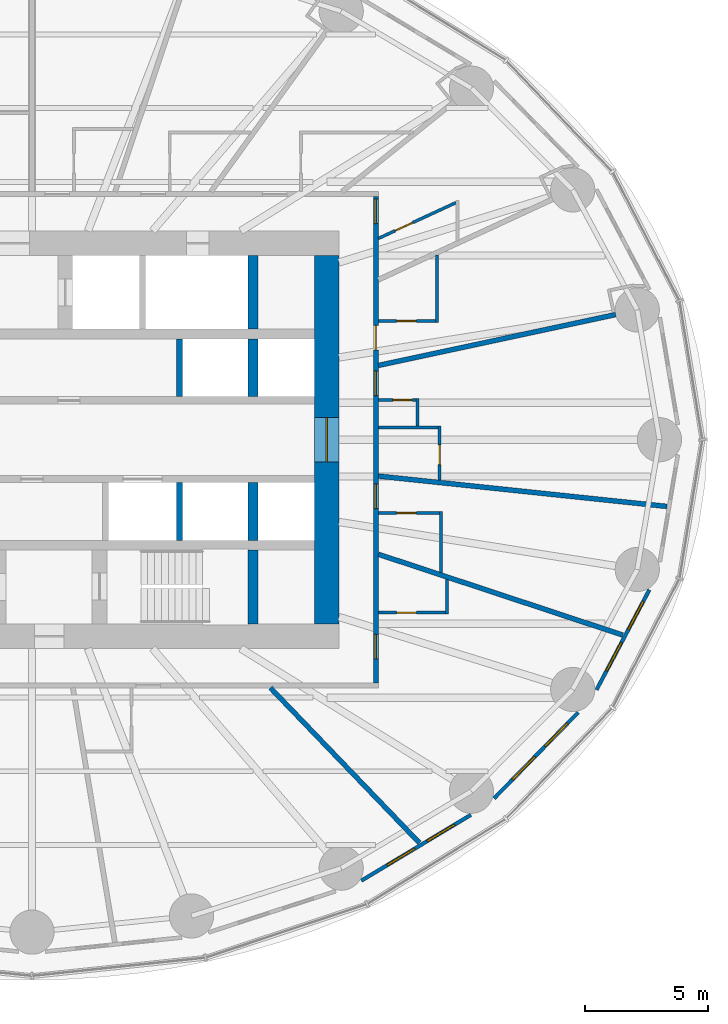
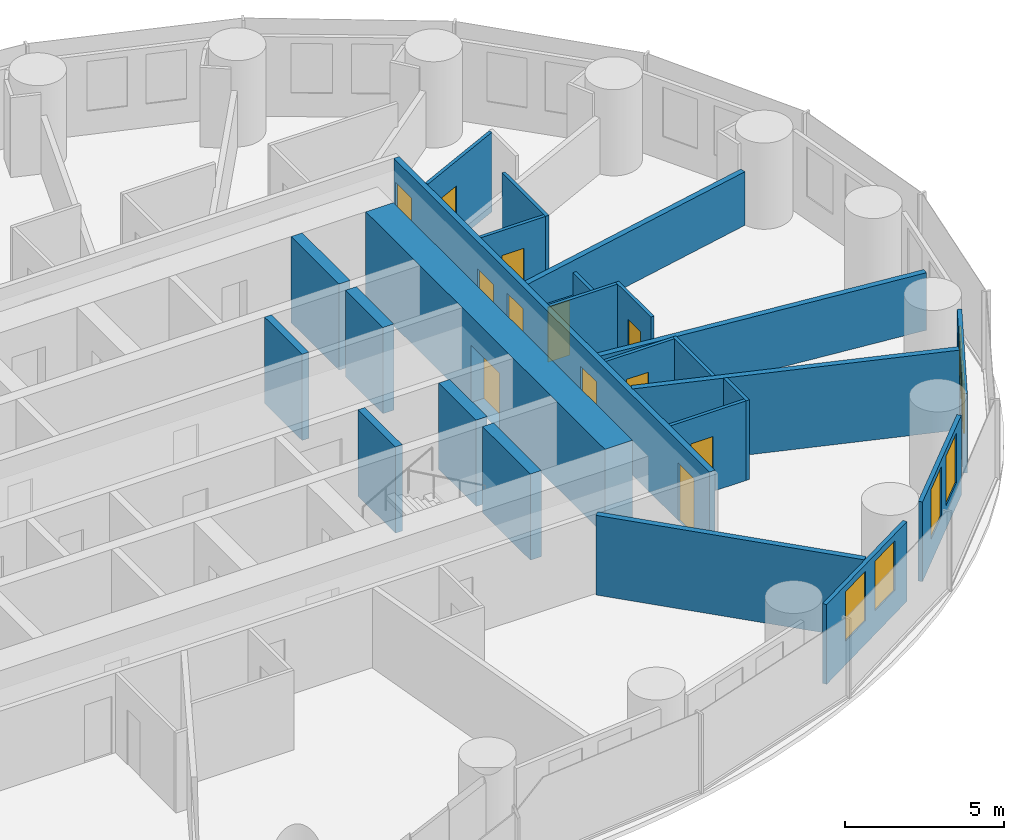
# One storey, part 9 of 13: 26 walls, 12 doors, 6 windows, 18 openings.
"""IFC4 building model written with IfcOpenShell, lengths in metres."""

from ifc_helpers import new_model, si_unit, direction, frame, frame_2d, origin, place, context, subcontext, project, spatial, rectangle, extrude, material, layer, layer_set, type_object, element, fill, save


model = new_model("IFC4")

# Units and contexts
model_context = context("Model", 3, precision=1e-05, world=origin(), true_north=direction((0.0, 1.0)))
body_context = subcontext(model_context, "Body", "Model", "MODEL_VIEW")
ifc_project = project(units=[si_unit("LENGTHUNIT", "METRE"), si_unit("AREAUNIT", "SQUARE_METRE"), si_unit("VOLUMEUNIT", "CUBIC_METRE"), si_unit("PLANEANGLEUNIT", "RADIAN"), si_unit("MASSUNIT", "GRAM", prefix="KILO")], contexts=[model_context])

# Site, building, storey
site_placement = place(None, origin())
site = spatial("IfcSite", under=ifc_project, at=site_placement, CompositionType="ELEMENT")
building_placement = place(site_placement, origin())
building = spatial("IfcBuilding", under=site, at=building_placement, Name="Hankou Lantern Tower", CompositionType="ELEMENT")
storey_placement = place(building_placement, frame((0.0, 0.0, 42.60009765625)))
storey = spatial("IfcBuildingStorey", under=building, at=storey_placement, Name="L09", CompositionType="ELEMENT", Elevation=42.60009765625)

# Wall, opening, door
ifc_material_1 = material(Name="Concrete C60", Category="concrete")
ifc_layer_1 = layer(ifc_material_1, 1.0)
ifc_layer_set_1 = layer_set([ifc_layer_1], Name="Concrete C60")
wall_type_1 = type_object("IfcWallType", Name="CW1 CORE WALL 1000", PredefinedType="SHEAR", material=ifc_layer_set_1)
wall_1_placement = place(storey_placement, frame((12.0, -7.5, 0.0), z_axis=(0.0, 0.0, 1.0), x_axis=(0.0, 1.0, 0.0)))
wall_1 = element("IfcWall", 1, at=wall_1_placement, inside=storey, type_object=wall_type_1, Name="Core wall east L09", PredefinedType="SHEAR", context=body_context, shape_type="SweptSolid", body=[
    extrude(rectangle(XDim=15.0, YDim=1.0, at=frame_2d((7.5, 0.0))), origin(), (0.0, 0.0, 1.0), 3.2998046875),
])
opening_1_placement = place(wall_1_placement, frame((6.60009765625, 0.0, 0.0)))
opening_1 = element("IfcOpeningElement", 2, at=opening_1_placement, cuts=wall_1, Name="Opening D6", PredefinedType="OPENING", context=body_context, shape_type="SweptSolid", body=[
    extrude(rectangle(XDim=1.800048828125, YDim=2.199951171875, at=frame_2d((0.89990234375, 1.10009765625))), frame((0.0, 0.510009765625, 0.0), z_axis=(0.0, -1.0, 0.0), x_axis=(1.0, 0.0, 0.0)), (0.0, 0.0, 1.0), 1.02001953125),
])
ifc_material_2 = material(Name="Steel door leaf", Category="steel")
door_type_1 = type_object("IfcDoorType", Name="D6 LIFT LOBBY DOOR 1800X2200", OperationType="DOUBLE_DOOR_DOUBLE_SWING", PredefinedType="DOOR", material=ifc_material_2)
door_1_placement = place(opening_1_placement, origin())
door_1 = element("IfcDoor", 3, at=door_1_placement, inside=storey, type_object=door_type_1, Name="Lift lobby east door", OperationType="DOUBLE_DOOR_DOUBLE_SWING", OverallHeight=2.199951171875, OverallWidth=1.800048828125, PredefinedType="DOOR", context=body_context, shape_type="SweptSolid", body=[
    extrude(rectangle(XDim=1.800048828125, YDim=2.199951171875, at=frame_2d((0.89990234375, 1.10009765625))), frame((0.0, 0.02490234375, 0.0), z_axis=(0.0, -1.0, 0.0), x_axis=(1.0, 0.0, 0.0)), (0.0, 0.0, 1.0), 0.050048828125),
])
fill(opening_1, door_1)

# Walls
ifc_material_3 = material(Name="Concrete C60", Category="concrete")
ifc_layer_2 = layer(ifc_material_3, 0.39990234375)
ifc_layer_set_2 = layer_set([ifc_layer_2], Name="Concrete C60")
wall_type_2 = type_object("IfcWallType", Name="CW4 CORE CROSS WALL 400", PredefinedType="SHEAR", material=ifc_layer_set_2)
wall_2_placement = place(storey_placement, frame((9.0, 4.5, 0.0), z_axis=(0.0, 0.0, 1.0), x_axis=(0.0, 1.0, 0.0)))
element("IfcWall", 4, at=wall_2_placement, inside=storey, type_object=wall_type_2, Name="Core strip wall L09", PredefinedType="SHEAR", context=body_context, shape_type="SweptSolid", body=[
    extrude(rectangle(XDim=3.0, YDim=0.39990234375, at=frame_2d((1.5, 0.0))), origin(), (0.0, 0.0, 1.0), 3.2998046875),
])
for number, where, z_axis, x_axis, name in (
    (5, (9.0, 1.75, 0.0), (0.0, 0.0, 1.0), (0.0, 1.0, 0.0), "Core strip wall L09"),
    (6, (9.0, -4.10009765625, 0.0), (0.0, 0.0, 1.0), (0.0, 1.0, 0.0), "Core strip wall L09"),
):
    element("IfcWall", number, at=place(storey_placement, frame(where, z_axis=z_axis, x_axis=x_axis)), inside=storey, type_object=wall_type_2, Name=name, PredefinedType="SHEAR", context=body_context, shape_type="SweptSolid", body=[
        extrude(rectangle(XDim=2.35009765625, YDim=0.39990234375, at=frame_2d((1.175048828125, 0.0))), origin(), (0.0, 0.0, 1.0), 3.2998046875),
    ])
wall_3_placement = place(storey_placement, frame((9.0, -7.5, 0.0), z_axis=(0.0, 0.0, 1.0), x_axis=(0.0, 1.0, 0.0)))
element("IfcWall", 7, at=wall_3_placement, inside=storey, type_object=wall_type_2, Name="Core strip wall L09", PredefinedType="SHEAR", context=body_context, shape_type="SweptSolid", body=[
    extrude(rectangle(XDim=3.0, YDim=0.39990234375, at=frame_2d((1.5, 0.0))), origin(), (0.0, 0.0, 1.0), 3.2998046875),
])

# Wall, openings, windows
ifc_material_4 = material(Name="Aluminium spandrel panel on steel studs", Category="steel")
ifc_layer_3 = layer(ifc_material_4, 0.14990234375)
ifc_layer_set_3 = layer_set([ifc_layer_3], Name="Aluminium spandrel panel on steel studs")
wall_type_3 = type_object("IfcWallType", Name="EW1 INNER SKIN WALL 150", PredefinedType="ELEMENTEDWALL", material=ifc_layer_set_3)
wall_4_placement = place(storey_placement, frame((13.412109375, -17.957275390625, 0.0), z_axis=(0.0, 0.0, 1.0), x_axis=(0.856958191554, 0.515385931054, 0.0)))
wall_4 = element("IfcWall", 8, at=wall_4_placement, inside=storey, type_object=wall_type_3, Name="Inner skin R21-R22 L09", PredefinedType="ELEMENTEDWALL", context=body_context, shape_type="SweptSolid", body=[
    extrude(rectangle(XDim=5.201171875, YDim=0.14990234375, at=frame_2d((2.6005859375, 0.0))), origin(), (0.0, 0.0, 1.0), 3.0498046875),
])
opening_2_placement = place(wall_4_placement, frame((1.22509765625, 0.0, 0.89990234375)))
opening_2 = element("IfcOpeningElement", 9, at=opening_2_placement, cuts=wall_4, Name="Opening W9", PredefinedType="OPENING", context=body_context, shape_type="SweptSolid", body=[
    extrude(rectangle(XDim=1.300048828125, YDim=1.89990234375, at=frame_2d((0.64990234375, 0.949951171875))), frame((0.0, 0.0849609375, 0.0), z_axis=(0.0, -1.0, 0.0), x_axis=(1.0, 0.0, 0.0)), (0.0, 0.0, 1.0), 0.169921875),
])
opening_3_placement = place(wall_4_placement, frame((3.125, 0.0, 0.89990234375)))
opening_3 = element("IfcOpeningElement", 10, at=opening_3_placement, cuts=wall_4, Name="Opening W9", PredefinedType="OPENING", context=body_context, shape_type="SweptSolid", body=[
    extrude(rectangle(XDim=1.300048828125, YDim=1.89990234375, at=frame_2d((0.64990234375, 0.949951171875))), frame((0.0, 0.0849609375, 0.0), z_axis=(0.0, -1.0, 0.0), x_axis=(1.0, 0.0, 0.0)), (0.0, 0.0, 1.0), 0.169921875),
])
ifc_material_5 = material(Name="Aluminium framed double glazed window", Category="aluminium")
window_type = type_object("IfcWindowType", Name="W9 GUEST ROOM WINDOW 1300X1900", PartitioningType="DOUBLE_PANEL_VERTICAL", PredefinedType="WINDOW", material=ifc_material_5)
window_1_placement = place(opening_2_placement, origin())
window_1 = element("IfcWindow", 11, at=window_1_placement, inside=storey, type_object=window_type, Name="Window R21.1 L09", OverallHeight=1.89990234375, OverallWidth=1.300048828125, PartitioningType="SINGLE_PANEL", PredefinedType="WINDOW", context=body_context, shape_type="SweptSolid", body=[
    extrude(rectangle(XDim=1.300048828125, YDim=1.89990234375, at=frame_2d((0.64990234375, 0.949951171875))), frame((0.0, 0.030029296875, 0.0), z_axis=(0.0, -1.0, 0.0), x_axis=(1.0, 0.0, 0.0)), (0.0, 0.0, 1.0), 0.06005859375),
])
fill(opening_2, window_1)
window_2_placement = place(opening_3_placement, origin())
window_2 = element("IfcWindow", 12, at=window_2_placement, inside=storey, type_object=window_type, Name="Window R21.2 L09", OverallHeight=1.89990234375, OverallWidth=1.300048828125, PartitioningType="SINGLE_PANEL", PredefinedType="WINDOW", context=body_context, shape_type="SweptSolid", body=[
    extrude(rectangle(XDim=1.300048828125, YDim=1.89990234375, at=frame_2d((0.64990234375, 0.949951171875))), frame((0.0, 0.030029296875, 0.0), z_axis=(0.0, -1.0, 0.0), x_axis=(1.0, 0.0, 0.0)), (0.0, 0.0, 1.0), 0.06005859375),
])
fill(opening_3, window_2)

wall_5_placement = place(storey_placement, frame((18.8134765625, -14.606689453125, 0.0), z_axis=(0.0, 0.0, 1.0), x_axis=(0.699612594083, 0.714522370679, 0.0)))
wall_5 = element("IfcWall", 13, at=wall_5_placement, inside=storey, type_object=wall_type_3, Name="Inner skin R22-R23 L09", PredefinedType="ELEMENTEDWALL", context=body_context, shape_type="SweptSolid", body=[
    extrude(rectangle(XDim=4.89599609375, YDim=0.14990234375, at=frame_2d((2.447998046875, 0.0))), origin(), (0.0, 0.0, 1.0), 3.0498046875),
])
opening_4_placement = place(wall_5_placement, frame((1.076904296875, 0.0, 0.89990234375)))
opening_4 = element("IfcOpeningElement", 14, at=opening_4_placement, cuts=wall_5, Name="Opening W9", PredefinedType="OPENING", context=body_context, shape_type="SweptSolid", body=[
    extrude(rectangle(XDim=1.300048828125, YDim=1.89990234375, at=frame_2d((0.64990234375, 0.949951171875))), frame((0.0, 0.0849609375, 0.0), z_axis=(0.0, -1.0, 0.0), x_axis=(1.0, 0.0, 0.0)), (0.0, 0.0, 1.0), 0.169921875),
])
opening_5_placement = place(wall_5_placement, frame((2.976806640625, 0.0, 0.89990234375)))
opening_5 = element("IfcOpeningElement", 15, at=opening_5_placement, cuts=wall_5, Name="Opening W9", PredefinedType="OPENING", context=body_context, shape_type="SweptSolid", body=[
    extrude(rectangle(XDim=1.300048828125, YDim=1.89990234375, at=frame_2d((0.64990234375, 0.949951171875))), frame((0.0, 0.0849609375, 0.0), z_axis=(0.0, -1.0, 0.0), x_axis=(1.0, 0.0, 0.0)), (0.0, 0.0, 1.0), 0.169921875),
])
window_3_placement = place(opening_4_placement, origin())
window_3 = element("IfcWindow", 16, at=window_3_placement, inside=storey, type_object=window_type, Name="Window R22.1 L09", OverallHeight=1.89990234375, OverallWidth=1.300048828125, PartitioningType="SINGLE_PANEL", PredefinedType="WINDOW", context=body_context, shape_type="SweptSolid", body=[
    extrude(rectangle(XDim=1.300048828125, YDim=1.89990234375, at=frame_2d((0.64990234375, 0.949951171875))), frame((0.0, 0.030029296875, 0.0), z_axis=(0.0, -1.0, 0.0), x_axis=(1.0, 0.0, 0.0)), (0.0, 0.0, 1.0), 0.06005859375),
])
fill(opening_4, window_3)
window_4_placement = place(opening_5_placement, origin())
window_4 = element("IfcWindow", 17, at=window_4_placement, inside=storey, type_object=window_type, Name="Window R22.2 L09", OverallHeight=1.89990234375, OverallWidth=1.300048828125, PartitioningType="SINGLE_PANEL", PredefinedType="WINDOW", context=body_context, shape_type="SweptSolid", body=[
    extrude(rectangle(XDim=1.300048828125, YDim=1.89990234375, at=frame_2d((0.64990234375, 0.949951171875))), frame((0.0, 0.030029296875, 0.0), z_axis=(0.0, -1.0, 0.0), x_axis=(1.0, 0.0, 0.0)), (0.0, 0.0, 1.0), 0.06005859375),
])
fill(opening_5, window_4)

wall_6_placement = place(storey_placement, frame((22.986083984375, -10.185302734375, 0.0), z_axis=(0.0, 0.0, 1.0), x_axis=(0.467303182954, 0.884097129959, 0.0)))
wall_6 = element("IfcWall", 18, at=wall_6_placement, inside=storey, type_object=wall_type_3, Name="Inner skin R23-R24 L09", PredefinedType="ELEMENTEDWALL", context=body_context, shape_type="SweptSolid", body=[
    extrude(rectangle(XDim=4.6064453125, YDim=0.14990234375, at=frame_2d((2.30322265625, 0.0))), origin(), (0.0, 0.0, 1.0), 3.0498046875),
])
opening_6_placement = place(wall_6_placement, frame((0.874755859375, 0.0, 0.89990234375)))
opening_6 = element("IfcOpeningElement", 19, at=opening_6_placement, cuts=wall_6, Name="Opening W9", PredefinedType="OPENING", context=body_context, shape_type="SweptSolid", body=[
    extrude(rectangle(XDim=1.300048828125, YDim=1.89990234375, at=frame_2d((0.64990234375, 0.949951171875))), frame((0.0, 0.0849609375, 0.0), z_axis=(0.0, -1.0, 0.0), x_axis=(1.0, 0.0, 0.0)), (0.0, 0.0, 1.0), 0.169921875),
])
opening_7_placement = place(wall_6_placement, frame((2.77490234375, 0.0, 0.89990234375)))
opening_7 = element("IfcOpeningElement", 20, at=opening_7_placement, cuts=wall_6, Name="Opening W9", PredefinedType="OPENING", context=body_context, shape_type="SweptSolid", body=[
    extrude(rectangle(XDim=1.300048828125, YDim=1.89990234375, at=frame_2d((0.64990234375, 0.949951171875))), frame((0.0, 0.0849609375, 0.0), z_axis=(0.0, -1.0, 0.0), x_axis=(1.0, 0.0, 0.0)), (0.0, 0.0, 1.0), 0.169921875),
])
window_5_placement = place(opening_6_placement, origin())
window_5 = element("IfcWindow", 21, at=window_5_placement, inside=storey, type_object=window_type, Name="Window R23.1 L09", OverallHeight=1.89990234375, OverallWidth=1.300048828125, PartitioningType="SINGLE_PANEL", PredefinedType="WINDOW", context=body_context, shape_type="SweptSolid", body=[
    extrude(rectangle(XDim=1.300048828125, YDim=1.89990234375, at=frame_2d((0.64990234375, 0.949951171875))), frame((0.0, 0.030029296875, 0.0), z_axis=(0.0, -1.0, 0.0), x_axis=(1.0, 0.0, 0.0)), (0.0, 0.0, 1.0), 0.06005859375),
])
fill(opening_6, window_5)
window_6_placement = place(opening_7_placement, origin())
window_6 = element("IfcWindow", 22, at=window_6_placement, inside=storey, type_object=window_type, Name="Window R23.2 L09", OverallHeight=1.89990234375, OverallWidth=1.300048828125, PartitioningType="SINGLE_PANEL", PredefinedType="WINDOW", context=body_context, shape_type="SweptSolid", body=[
    extrude(rectangle(XDim=1.300048828125, YDim=1.89990234375, at=frame_2d((0.64990234375, 0.949951171875))), frame((0.0, 0.030029296875, 0.0), z_axis=(0.0, -1.0, 0.0), x_axis=(1.0, 0.0, 0.0)), (0.0, 0.0, 1.0), 0.06005859375),
])
fill(opening_7, window_6)

# Walls
ifc_material_6 = material(Name="Masonry lightweight concrete block", Category="masonry")
ifc_layer_4 = layer(ifc_material_6, 0.199951171875)
ifc_layer_set_4 = layer_set([ifc_layer_4], Name="Masonry lightweight concrete block")
wall_type_4 = type_object("IfcWallType", Name="IW1 GUEST ROOM PARTY WALL 200", PredefinedType="PARTITIONING", material=ifc_layer_set_4)
wall_7_placement = place(storey_placement, frame((14.10009765625, 3.0224609375, 0.0), z_axis=(0.0, 0.0, 1.0), x_axis=(0.977786510688, 0.209603290805, 0.0)))
element("IfcWall", 23, at=wall_7_placement, inside=storey, type_object=wall_type_4, Name="Party wall R02", PredefinedType="PARTITIONING", context=body_context, shape_type="SweptSolid", body=[
    extrude(rectangle(XDim=9.88671875, YDim=0.199951171875, at=frame_2d((4.943359375, 0.0))), origin(), (0.0, 0.0, 1.0), 2.0498046875),
])
wall_8_placement = place(storey_placement, frame((9.705078125, -10.10009765625, 0.0), z_axis=(0.0, 0.0, 1.0), x_axis=(0.692879226267, -0.721053658064, 0.0)))
element("IfcWall", 24, at=wall_8_placement, inside=storey, type_object=wall_type_4, Name="Party wall R21-R22", PredefinedType="PARTITIONING", context=body_context, shape_type="SweptSolid", body=[
    extrude(rectangle(XDim=8.7607421875, YDim=0.199951171875, at=frame_2d((4.38037109375, 0.0))), origin(), (0.0, 0.0, 1.0), 3.0498046875),
])
wall_9_placement = place(storey_placement, frame((14.10009765625, -4.6630859375, 0.0), z_axis=(0.0, 0.0, 1.0), x_axis=(0.949432655039, -0.31397075269, 0.0)))
element("IfcWall", 25, at=wall_9_placement, inside=storey, type_object=wall_type_4, Name="Party wall R23-R24", PredefinedType="PARTITIONING", context=body_context, shape_type="SweptSolid", body=[
    extrude(rectangle(XDim=10.48583984375, YDim=0.199951171875, at=frame_2d((5.242919921875, 0.0))), origin(), (0.0, 0.0, 1.0), 3.0498046875),
])
wall_10_placement = place(storey_placement, frame((14.10009765625, -1.48193359375, 0.0), z_axis=(0.0, 0.0, 1.0), x_axis=(0.994522076235, -0.104526742422, 0.0)))
element("IfcWall", 26, at=wall_10_placement, inside=storey, type_object=wall_type_4, Name="Party wall R24-R01", PredefinedType="PARTITIONING", context=body_context, shape_type="SweptSolid", body=[
    extrude(rectangle(XDim=11.82080078125, YDim=0.199951171875, at=frame_2d((5.910400390625, 0.0))), origin(), (0.0, 0.0, 1.0), 2.199951171875),
])

# Wall, openings, doors
ifc_material_7 = material(Name="Masonry lightweight concrete block", Category="masonry")
ifc_layer_5 = layer(ifc_material_7, 0.199951171875)
ifc_layer_set_5 = layer_set([ifc_layer_5], Name="Masonry lightweight concrete block")
wall_type_5 = type_object("IfcWallType", Name="IW2 CORRIDOR WALL 200", PredefinedType="PARTITIONING", material=ifc_layer_set_5)
wall_11_placement = place(storey_placement, frame((14.0, -9.89990234375, 0.0), z_axis=(0.0, 0.0, 1.0), x_axis=(0.0, 1.0, 0.0)))
wall_11 = element("IfcWall", 27, at=wall_11_placement, inside=storey, type_object=wall_type_5, Name="Corridor wall east", PredefinedType="PARTITIONING", context=body_context, shape_type="SweptSolid", body=[
    extrude(rectangle(XDim=19.7998046875, YDim=0.199951171875, at=frame_2d((9.89990234375, 0.0))), origin(), (0.0, 0.0, 1.0), 3.0498046875),
])
opening_8_placement = place(wall_11_placement, frame((11.697998046875, 0.0, 0.0)))
opening_8 = element("IfcOpeningElement", 28, at=opening_8_placement, cuts=wall_11, Name="Opening D1", PredefinedType="OPENING", context=body_context, shape_type="SweptSolid", body=[
    extrude(rectangle(XDim=1.0, YDim=2.199951171875, at=frame_2d((0.5, 1.10009765625))), frame((0.0, 0.10986328125, 0.0), z_axis=(0.0, -1.0, 0.0), x_axis=(1.0, 0.0, 0.0)), (0.0, 0.0, 1.0), 0.219970703125),
])
opening_9_placement = place(wall_11_placement, frame((13.553955078125, 0.0, 0.0)))
opening_9 = element("IfcOpeningElement", 29, at=opening_9_placement, cuts=wall_11, Name="Opening D35", PredefinedType="OPENING", context=body_context, shape_type="SweptSolid", body=[
    extrude(rectangle(XDim=1.0, YDim=2.0, at=frame_2d((0.5, 1.0))), frame((0.0, 0.10986328125, 0.0), z_axis=(0.0, -1.0, 0.0), x_axis=(1.0, 0.0, 0.0)), (0.0, 0.0, 1.0), 0.219970703125),
])
opening_10_placement = place(wall_11_placement, frame((18.697509765625, 0.0, 0.0)))
opening_10 = element("IfcOpeningElement", 30, at=opening_10_placement, cuts=wall_11, Name="Opening D1", PredefinedType="OPENING", context=body_context, shape_type="SweptSolid", body=[
    extrude(rectangle(XDim=1.0, YDim=2.199951171875, at=frame_2d((0.5, 1.10009765625))), frame((0.0, 0.10986328125, 0.0), z_axis=(0.0, -1.0, 0.0), x_axis=(1.0, 0.0, 0.0)), (0.0, 0.0, 1.0), 0.219970703125),
])
opening_11_placement = place(wall_11_placement, frame((0.97509765625, 0.0, 0.0)))
opening_11 = element("IfcOpeningElement", 31, at=opening_11_placement, cuts=wall_11, Name="Opening D2", PredefinedType="OPENING", context=body_context, shape_type="SweptSolid", body=[
    extrude(rectangle(XDim=1.0, YDim=2.199951171875, at=frame_2d((0.5, 1.10009765625))), frame((0.0, 0.10986328125, 0.0), z_axis=(0.0, -1.0, 0.0), x_axis=(1.0, 0.0, 0.0)), (0.0, 0.0, 1.0), 0.219970703125),
])
opening_12_placement = place(wall_11_placement, frame((7.096923828125, 0.0, 0.0)))
opening_12 = element("IfcOpeningElement", 32, at=opening_12_placement, cuts=wall_11, Name="Opening D1", PredefinedType="OPENING", context=body_context, shape_type="SweptSolid", body=[
    extrude(rectangle(XDim=1.0, YDim=2.199951171875, at=frame_2d((0.5, 1.10009765625))), frame((0.0, 0.10986328125, 0.0), z_axis=(0.0, -1.0, 0.0), x_axis=(1.0, 0.0, 0.0)), (0.0, 0.0, 1.0), 0.219970703125),
])
ifc_material_8 = material(Name="Steel door leaf", Category="steel")
door_type_2 = type_object("IfcDoorType", Name="D1 GUEST ROOM DOOR 1000X2200", OperationType="SINGLE_SWING_LEFT", PredefinedType="DOOR", material=ifc_material_8)
door_2_placement = place(opening_8_placement, origin())
door_2 = element("IfcDoor", 33, at=door_2_placement, inside=storey, type_object=door_type_2, Name="Guest room door 0901", OperationType="SINGLE_SWING_RIGHT", OverallHeight=2.199951171875, OverallWidth=1.0, PredefinedType="DOOR", context=body_context, shape_type="SweptSolid", body=[
    extrude(rectangle(XDim=1.0, YDim=2.199951171875, at=frame_2d((0.5, 1.10009765625))), frame((0.0, 0.02490234375, 0.0), z_axis=(0.0, -1.0, 0.0), x_axis=(1.0, 0.0, 0.0)), (0.0, 0.0, 1.0), 0.050048828125),
])
fill(opening_8, door_2)
door_3_placement = place(opening_10_placement, origin())
door_3 = element("IfcDoor", 34, at=door_3_placement, inside=storey, type_object=door_type_2, Name="Guest room door 0903", OperationType="SINGLE_SWING_RIGHT", OverallHeight=2.199951171875, OverallWidth=1.0, PredefinedType="DOOR", context=body_context, shape_type="SweptSolid", body=[
    extrude(rectangle(XDim=1.0, YDim=2.199951171875, at=frame_2d((0.5, 1.10009765625))), frame((0.0, 0.02490234375, 0.0), z_axis=(0.0, -1.0, 0.0), x_axis=(1.0, 0.0, 0.0)), (0.0, 0.0, 1.0), 0.050048828125),
])
fill(opening_10, door_3)
door_4_placement = place(opening_12_placement, origin())
door_4 = element("IfcDoor", 35, at=door_4_placement, inside=storey, type_object=door_type_2, Name="Guest room door 0919", OperationType="SINGLE_SWING_LEFT", OverallHeight=2.199951171875, OverallWidth=1.0, PredefinedType="DOOR", context=body_context, shape_type="SweptSolid", body=[
    extrude(rectangle(XDim=1.0, YDim=2.199951171875, at=frame_2d((0.5, 1.10009765625))), frame((0.0, 0.02490234375, 0.0), z_axis=(0.0, -1.0, 0.0), x_axis=(1.0, 0.0, 0.0)), (0.0, 0.0, 1.0), 0.050048828125),
])
fill(opening_12, door_4)
ifc_material_9 = material(Name="Steel door leaf", Category="steel")
door_type_3 = type_object("IfcDoorType", Name="D2 SUITE DOOR 1000X2200", OperationType="SINGLE_SWING_LEFT", PredefinedType="DOOR", material=ifc_material_9)
door_5_placement = place(opening_11_placement, origin())
door_5 = element("IfcDoor", 36, at=door_5_placement, inside=storey, type_object=door_type_3, Name="Suite door 0918", OperationType="SINGLE_SWING_LEFT", OverallHeight=2.199951171875, OverallWidth=1.0, PredefinedType="DOOR", context=body_context, shape_type="SweptSolid", body=[
    extrude(rectangle(XDim=1.0, YDim=2.199951171875, at=frame_2d((0.5, 1.10009765625))), frame((0.0, 0.02490234375, 0.0), z_axis=(0.0, -1.0, 0.0), x_axis=(1.0, 0.0, 0.0)), (0.0, 0.0, 1.0), 0.050048828125),
])
fill(opening_11, door_5)
ifc_material_10 = material(Name="Steel door leaf", Category="steel")
door_type_4 = type_object("IfcDoorType", Name="D35 GUEST ROOM DOOR 1000X2000", OperationType="SINGLE_SWING_LEFT", PredefinedType="DOOR", material=ifc_material_10)
door_6_placement = place(opening_9_placement, origin())
door_6 = element("IfcDoor", 37, at=door_6_placement, inside=storey, type_object=door_type_4, Name="Guest room door 0902", OperationType="SINGLE_SWING_RIGHT", OverallHeight=2.0, OverallWidth=1.0, PredefinedType="DOOR", context=body_context, shape_type="SweptSolid", body=[
    extrude(rectangle(XDim=1.0, YDim=2.0, at=frame_2d((0.5, 1.0))), frame((0.0, 0.02490234375, 0.0), z_axis=(0.0, -1.0, 0.0), x_axis=(1.0, 0.0, 0.0)), (0.0, 0.0, 1.0), 0.050048828125),
])
fill(opening_9, door_6)

# Wall, opening, door
ifc_material_11 = material(Name="Masonry lightweight concrete block", Category="masonry")
ifc_layer_6 = layer(ifc_material_11, 0.1201171875)
ifc_layer_set_6 = layer_set([ifc_layer_6], Name="Masonry lightweight concrete block")
wall_type_6 = type_object("IfcWallType", Name="IW3 BATHROOM WALL 120", PredefinedType="PARTITIONING", material=ifc_layer_set_6)
wall_12_placement = place(storey_placement, frame((16.60009765625, -1.644775390625, 0.0), z_axis=(0.0, 0.0, 1.0), x_axis=(0.0, 1.0, 0.0)))
wall_12 = element("IfcWall", 38, at=wall_12_placement, inside=storey, type_object=wall_type_6, Name="Box wall 0901 1", PredefinedType="PARTITIONING", context=body_context, shape_type="SweptSolid", body=[
    extrude(rectangle(XDim=2.202880859375, YDim=0.1201171875, at=frame_2d((1.1015625, 0.0))), origin(), (0.0, 0.0, 1.0), 3.0498046875),
])
opening_13_placement = place(wall_12_placement, frame((0.634033203125, 0.0, 0.0)))
opening_13 = element("IfcOpeningElement", 39, at=opening_13_placement, cuts=wall_12, Name="Opening D3", PredefinedType="OPENING", context=body_context, shape_type="SweptSolid", body=[
    extrude(rectangle(XDim=0.800048828125, YDim=2.10009765625, at=frame_2d((0.39990234375, 1.050048828125))), frame((0.0, 0.070068359375, 0.0), z_axis=(0.0, -1.0, 0.0), x_axis=(1.0, 0.0, 0.0)), (0.0, 0.0, 1.0), 0.14013671875),
])
ifc_material_12 = material(Name="Timber door leaf", Category="wood")
door_type_5 = type_object("IfcDoorType", Name="D3 BATHROOM DOOR 800X2100", OperationType="SINGLE_SWING_LEFT", PredefinedType="DOOR", material=ifc_material_12)
door_7_placement = place(opening_13_placement, origin())
door_7 = element("IfcDoor", 40, at=door_7_placement, inside=storey, type_object=door_type_5, Name="En-suite bathroom 0901 door", OperationType="SINGLE_SWING_LEFT", OverallHeight=2.10009765625, OverallWidth=0.800048828125, PredefinedType="DOOR", context=body_context, shape_type="SweptSolid", body=[
    extrude(rectangle(XDim=0.800048828125, YDim=2.10009765625, at=frame_2d((0.39990234375, 1.050048828125))), frame((0.0, 0.02490234375, 0.0), z_axis=(0.0, -1.0, 0.0), x_axis=(1.0, 0.0, 0.0)), (0.0, 0.0, 1.0), 0.050048828125),
])
fill(opening_13, door_7)

# Walls
wall_13_placement = place(storey_placement, frame((14.10009765625, 0.498046875, 0.0), z_axis=(0.0, 0.0, 1.0), x_axis=(1.0, 0.0, 0.0)))
element("IfcWall", 41, at=wall_13_placement, inside=storey, type_object=wall_type_6, Name="Box wall 0901 1", PredefinedType="PARTITIONING", context=body_context, shape_type="SweptSolid", body=[
    extrude(rectangle(XDim=2.43994140625, YDim=0.1201171875, at=frame_2d((1.219970703125, 0.0))), origin(), (0.0, 0.0, 1.0), 3.0498046875),
])
wall_14_placement = place(storey_placement, frame((15.699951171875, 0.55810546875, 0.0), z_axis=(0.0, 0.0, 1.0), x_axis=(0.0, 1.0, 0.0)))
element("IfcWall", 42, at=wall_14_placement, inside=storey, type_object=wall_type_6, Name="Box wall 0901 2", PredefinedType="PARTITIONING", context=body_context, shape_type="SweptSolid", body=[
    extrude(rectangle(XDim=1.119873046875, YDim=0.1201171875, at=frame_2d((0.56005859375, 0.0))), origin(), (0.0, 0.0, 1.0), 3.0498046875),
])

# Wall, opening, door
wall_15_placement = place(storey_placement, frame((14.10009765625, 1.617919921875, 0.0), z_axis=(0.0, 0.0, 1.0), x_axis=(1.0, 0.0, 0.0)))
wall_15 = element("IfcWall", 43, at=wall_15_placement, inside=storey, type_object=wall_type_6, Name="Box wall 0901 2", PredefinedType="PARTITIONING", context=body_context, shape_type="SweptSolid", body=[
    extrude(rectangle(XDim=1.539794921875, YDim=0.1201171875, at=frame_2d((0.77001953125, 0.0))), origin(), (0.0, 0.0, 1.0), 2.199951171875),
])
opening_14_placement = place(wall_15_placement, frame((0.590087890625, 0.0, 0.0)))
opening_14 = element("IfcOpeningElement", 44, at=opening_14_placement, cuts=wall_15, Name="Opening D3", PredefinedType="OPENING", context=body_context, shape_type="SweptSolid", body=[
    extrude(rectangle(XDim=0.800048828125, YDim=2.10009765625, at=frame_2d((0.39990234375, 1.050048828125))), frame((0.0, 0.070068359375, 0.0), z_axis=(0.0, -1.0, 0.0), x_axis=(1.0, 0.0, 0.0)), (0.0, 0.0, 1.0), 0.14013671875),
])
door_8_placement = place(opening_14_placement, origin())
door_8 = element("IfcDoor", 45, at=door_8_placement, inside=storey, type_object=door_type_5, Name="En-suite WC 0901 door", OperationType="SINGLE_SWING_LEFT", OverallHeight=2.10009765625, OverallWidth=0.800048828125, PredefinedType="DOOR", context=body_context, shape_type="SweptSolid", body=[
    extrude(rectangle(XDim=0.800048828125, YDim=2.10009765625, at=frame_2d((0.39990234375, 1.050048828125))), frame((0.0, 0.02490234375, 0.0), z_axis=(0.0, -1.0, 0.0), x_axis=(1.0, 0.0, 0.0)), (0.0, 0.0, 1.0), 0.050048828125),
])
fill(opening_14, door_8)

# Wall
wall_16_placement = place(storey_placement, frame((16.5, 7.52099609375, 0.0), z_axis=(0.0, 0.0, 1.0), x_axis=(0.0, -1.0, 0.0)))
element("IfcWall", 46, at=wall_16_placement, inside=storey, type_object=wall_type_6, Name="Box wall 0902 1", PredefinedType="PARTITIONING", context=body_context, shape_type="SweptSolid", body=[
    extrude(rectangle(XDim=2.74853515625, YDim=0.1201171875, at=frame_2d((1.374267578125, 0.0))), origin(), (0.0, 0.0, 1.0), 3.0498046875),
])

# Wall, opening, door
wall_17_placement = place(storey_placement, frame((14.10009765625, 4.83251953125, 0.0), z_axis=(0.0, 0.0, 1.0), x_axis=(1.0, 0.0, 0.0)))
wall_17 = element("IfcWall", 47, at=wall_17_placement, inside=storey, type_object=wall_type_6, Name="Box wall 0902 1", PredefinedType="PARTITIONING", context=body_context, shape_type="SweptSolid", body=[
    extrude(rectangle(XDim=2.33984375, YDim=0.1201171875, at=frame_2d((1.169921875, 0.0))), origin(), (0.0, 0.0, 1.0), 3.0498046875),
])
opening_15_placement = place(wall_17_placement, frame((0.75, 0.0, 0.0)))
opening_15 = element("IfcOpeningElement", 48, at=opening_15_placement, cuts=wall_17, Name="Opening D3", PredefinedType="OPENING", context=body_context, shape_type="SweptSolid", body=[
    extrude(rectangle(XDim=0.800048828125, YDim=2.10009765625, at=frame_2d((0.39990234375, 1.050048828125))), frame((0.0, 0.070068359375, 0.0), z_axis=(0.0, -1.0, 0.0), x_axis=(1.0, 0.0, 0.0)), (0.0, 0.0, 1.0), 0.14013671875),
])
door_9_placement = place(opening_15_placement, origin())
door_9 = element("IfcDoor", 49, at=door_9_placement, inside=storey, type_object=door_type_5, Name="En-suite bathroom 0902 door", OperationType="SINGLE_SWING_LEFT", OverallHeight=2.10009765625, OverallWidth=0.800048828125, PredefinedType="DOOR", context=body_context, shape_type="SweptSolid", body=[
    extrude(rectangle(XDim=0.800048828125, YDim=2.10009765625, at=frame_2d((0.39990234375, 1.050048828125))), frame((0.0, 0.02490234375, 0.0), z_axis=(0.0, -1.0, 0.0), x_axis=(1.0, 0.0, 0.0)), (0.0, 0.0, 1.0), 0.050048828125),
])
fill(opening_15, door_9)

wall_18_placement = place(storey_placement, frame((14.10009765625, 8.192626953125, 0.0), z_axis=(0.0, 0.0, 1.0), x_axis=(0.907836493557, 0.419324338628, 0.0)))
wall_18 = element("IfcWall", 50, at=wall_18_placement, inside=storey, type_object=wall_type_6, Name="Box wall 0903 1", PredefinedType="PARTITIONING", context=body_context, shape_type="SweptSolid", body=[
    extrude(rectangle(XDim=3.48974609375, YDim=0.1201171875, at=frame_2d((1.744873046875, 0.0))), origin(), (0.0, 0.0, 1.0), 3.0498046875),
])
opening_16_placement = place(wall_18_placement, frame((0.75, 0.0, 0.0)))
opening_16 = element("IfcOpeningElement", 51, at=opening_16_placement, cuts=wall_18, Name="Opening D3", PredefinedType="OPENING", context=body_context, shape_type="SweptSolid", body=[
    extrude(rectangle(XDim=0.800048828125, YDim=2.10009765625, at=frame_2d((0.39990234375, 1.050048828125))), frame((0.0, 0.070068359375, 0.0), z_axis=(0.0, -1.0, 0.0), x_axis=(1.0, 0.0, 0.0)), (0.0, 0.0, 1.0), 0.14013671875),
])
door_10_placement = place(opening_16_placement, origin())
door_10 = element("IfcDoor", 52, at=door_10_placement, inside=storey, type_object=door_type_5, Name="En-suite bathroom 0903 door", OperationType="SINGLE_SWING_LEFT", OverallHeight=2.10009765625, OverallWidth=0.800048828125, PredefinedType="DOOR", context=body_context, shape_type="SweptSolid", body=[
    extrude(rectangle(XDim=0.800048828125, YDim=2.10009765625, at=frame_2d((0.39990234375, 1.050048828125))), frame((0.0, 0.02490234375, 0.0), z_axis=(0.0, -1.0, 0.0), x_axis=(1.0, 0.0, 0.0)), (0.0, 0.0, 1.0), 0.050048828125),
])
fill(opening_16, door_10)

# Wall
wall_19_placement = place(storey_placement, frame((16.89990234375, -5.68896484375, 0.0), z_axis=(0.0, 0.0, 1.0), x_axis=(0.0, -1.0, 0.0)))
element("IfcWall", 53, at=wall_19_placement, inside=storey, type_object=wall_type_6, Name="Box wall 0918 1", PredefinedType="PARTITIONING", context=body_context, shape_type="SweptSolid", body=[
    extrude(rectangle(XDim=1.4140625, YDim=0.1201171875, at=frame_2d((0.70703125, 0.0))), origin(), (0.0, 0.0, 1.0), 3.0498046875),
])

# Wall, opening, door
wall_20_placement = place(storey_placement, frame((14.10009765625, -7.04296875, 0.0), z_axis=(0.0, 0.0, 1.0), x_axis=(1.0, 0.0, 0.0)))
wall_20 = element("IfcWall", 54, at=wall_20_placement, inside=storey, type_object=wall_type_6, Name="Box wall 0918 1", PredefinedType="PARTITIONING", context=body_context, shape_type="SweptSolid", body=[
    extrude(rectangle(XDim=2.739990234375, YDim=0.1201171875, at=frame_2d((1.3701171875, 0.0))), origin(), (0.0, 0.0, 1.0), 3.0498046875),
])
opening_17_placement = place(wall_20_placement, frame((0.75, 0.0, 0.0)))
opening_17 = element("IfcOpeningElement", 55, at=opening_17_placement, cuts=wall_20, Name="Opening D3", PredefinedType="OPENING", context=body_context, shape_type="SweptSolid", body=[
    extrude(rectangle(XDim=0.800048828125, YDim=2.10009765625, at=frame_2d((0.39990234375, 1.050048828125))), frame((0.0, 0.070068359375, 0.0), z_axis=(0.0, -1.0, 0.0), x_axis=(1.0, 0.0, 0.0)), (0.0, 0.0, 1.0), 0.14013671875),
])
door_11_placement = place(opening_17_placement, origin())
door_11 = element("IfcDoor", 56, at=door_11_placement, inside=storey, type_object=door_type_5, Name="Junior suite 0918 bathroom door", OperationType="SINGLE_SWING_LEFT", OverallHeight=2.10009765625, OverallWidth=0.800048828125, PredefinedType="DOOR", context=body_context, shape_type="SweptSolid", body=[
    extrude(rectangle(XDim=0.800048828125, YDim=2.10009765625, at=frame_2d((0.39990234375, 1.050048828125))), frame((0.0, 0.02490234375, 0.0), z_axis=(0.0, -1.0, 0.0), x_axis=(1.0, 0.0, 0.0)), (0.0, 0.0, 1.0), 0.050048828125),
])
fill(opening_17, door_11)

# Wall
wall_21_placement = place(storey_placement, frame((16.64990234375, -5.40625, 0.0), z_axis=(0.0, 0.0, 1.0), x_axis=(0.0, 1.0, 0.0)))
element("IfcWall", 57, at=wall_21_placement, inside=storey, type_object=wall_type_6, Name="Box wall 0919 1", PredefinedType="PARTITIONING", context=body_context, shape_type="SweptSolid", body=[
    extrude(rectangle(XDim=2.483154296875, YDim=0.1201171875, at=frame_2d((1.24169921875, 0.0))), origin(), (0.0, 0.0, 1.0), 3.0498046875),
])

# Wall, opening, door
wall_22_placement = place(storey_placement, frame((14.10009765625, -2.98291015625, 0.0), z_axis=(0.0, 0.0, 1.0), x_axis=(1.0, 0.0, 0.0)))
wall_22 = element("IfcWall", 58, at=wall_22_placement, inside=storey, type_object=wall_type_6, Name="Box wall 0919 1", PredefinedType="PARTITIONING", context=body_context, shape_type="SweptSolid", body=[
    extrude(rectangle(XDim=2.489990234375, YDim=0.1201171875, at=frame_2d((1.2451171875, 0.0))), origin(), (0.0, 0.0, 1.0), 3.0498046875),
])
opening_18_placement = place(wall_22_placement, frame((0.75, 0.0, 0.0)))
opening_18 = element("IfcOpeningElement", 59, at=opening_18_placement, cuts=wall_22, Name="Opening D3", PredefinedType="OPENING", context=body_context, shape_type="SweptSolid", body=[
    extrude(rectangle(XDim=0.800048828125, YDim=2.10009765625, at=frame_2d((0.39990234375, 1.050048828125))), frame((0.0, 0.070068359375, 0.0), z_axis=(0.0, -1.0, 0.0), x_axis=(1.0, 0.0, 0.0)), (0.0, 0.0, 1.0), 0.14013671875),
])
door_12_placement = place(opening_18_placement, origin())
door_12 = element("IfcDoor", 60, at=door_12_placement, inside=storey, type_object=door_type_5, Name="En-suite bathroom 0919 door", OperationType="SINGLE_SWING_LEFT", OverallHeight=2.10009765625, OverallWidth=0.800048828125, PredefinedType="DOOR", context=body_context, shape_type="SweptSolid", body=[
    extrude(rectangle(XDim=0.800048828125, YDim=2.10009765625, at=frame_2d((0.39990234375, 1.050048828125))), frame((0.0, 0.02490234375, 0.0), z_axis=(0.0, -1.0, 0.0), x_axis=(1.0, 0.0, 0.0)), (0.0, 0.0, 1.0), 0.050048828125),
])
fill(opening_18, door_12)

# Walls
ifc_material_13 = material(Name="Masonry autoclaved aerated concrete block", Category="masonry")
ifc_layer_7 = layer(ifc_material_13, 0.25)
ifc_layer_set_7 = layer_set([ifc_layer_7], Name="Masonry autoclaved aerated concrete block")
wall_type_7 = type_object("IfcWallType", Name="SW1 SHAFT BLOCK WALL 250", PredefinedType="PARTITIONING", material=ifc_layer_set_7)
for number, where, z_axis, x_axis, name in (
    (61, (6.0, 1.75, 0.0), (0.0, 0.0, 1.0), (0.0, 1.0, 0.0), "Lift shaft wall L09"),
    (62, (6.0, -4.10009765625, 0.0), (0.0, 0.0, 1.0), (0.0, 1.0, 0.0), "Lift shaft wall L09"),
):
    element("IfcWall", number, at=place(storey_placement, frame(where, z_axis=z_axis, x_axis=x_axis)), inside=storey, type_object=wall_type_7, Name=name, PredefinedType="PARTITIONING", context=body_context, shape_type="SweptSolid", body=[
        extrude(rectangle(XDim=2.35009765625, YDim=0.25, at=frame_2d((1.175048828125, 0.0))), origin(), (0.0, 0.0, 1.0), 3.2998046875),
    ])

save(model, "model.ifc")
